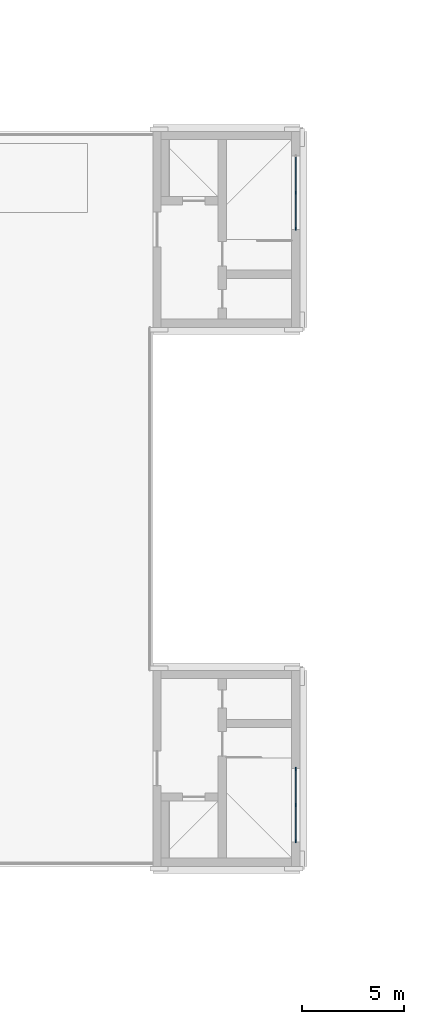
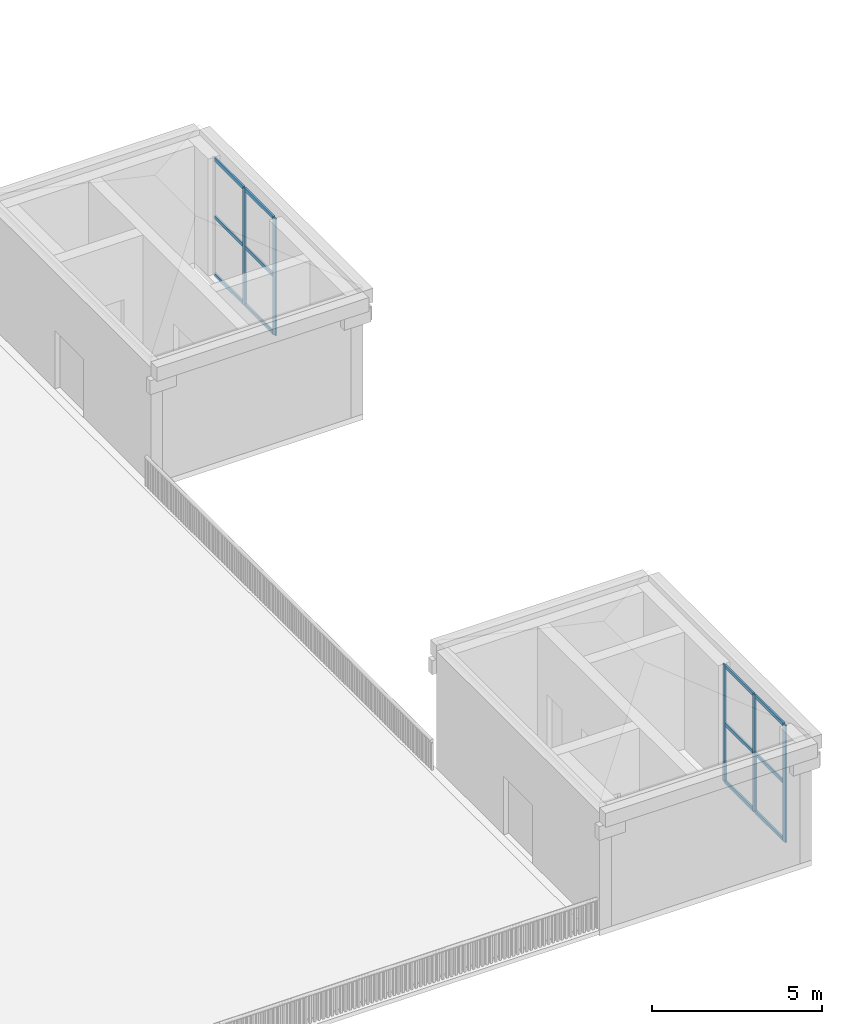
# One storey, part 45 of 127: 17 members, 2 elements without a shape of their own.
"""IFC4 building model written with IfcOpenShell, lengths in metres."""

from ifc_helpers import new_model, si_unit, direction, frame, origin, origin_2d, place, context, subcontext, project, spatial, rectangle, extrude, material, material_profile, profile_set, type_object, element, aggregate, save


model = new_model("IFC4")

# Units and contexts
model_context = context("Model", 3, precision=1e-05, world=origin(), true_north=direction((0.0, 1.0)))
body_context = subcontext(model_context, "Body", "Model", "MODEL_VIEW")
ifc_project = project(units=[si_unit("LENGTHUNIT", "METRE"), si_unit("AREAUNIT", "SQUARE_METRE"), si_unit("VOLUMEUNIT", "CUBIC_METRE"), si_unit("PLANEANGLEUNIT", "RADIAN"), si_unit("MASSUNIT", "GRAM", prefix="KILO")], contexts=[model_context])

# Site, building, storey
site_placement = place(None, origin())
site = spatial("IfcSite", under=ifc_project, at=site_placement, CompositionType="ELEMENT")
building_placement = place(site_placement, origin())
building = spatial("IfcBuilding", under=site, at=building_placement, Name="Verrick Yard Athletic Hall", CompositionType="ELEMENT")
storey_placement = place(building_placement, frame((0.0, 0.0, 14.0)))
storey = spatial("IfcBuildingStorey", under=building, at=storey_placement, Name="L03", CompositionType="ELEMENT", Elevation=14.0)

# Curtain wall, members
ifc_material = material(Name="Aluminium 6063-T5", Category="aluminium")
curtain_wall_type = type_object("IfcCurtainWallType", Name="Core glazing strip", PredefinedType="NOTDEFINED", material=ifc_material)
curtain_wall_1_placement = place(storey_placement, origin())
curtain_wall_1 = element("IfcCurtainWall", 1, at=curtain_wall_1_placement, inside=storey, type_object=curtain_wall_type, Name="CORE-CB3-CW-L03", PredefinedType="NOTDEFINED")
ifc_material_profile_1 = material_profile(ifc_material, rectangle(XDim=0.06005859375, YDim=0.159912109375, at=origin_2d()), Name="Core glazing mullion 60x160")
ifc_profile_set_1 = profile_set([ifc_material_profile_1], Name="Aluminium 6063-T5")
member_type_1 = type_object("IfcMemberType", Name="Core glazing mullion 60x160", PredefinedType="MULLION", material=ifc_profile_set_1)
member_1_placement = place(storey_placement, frame((165.800048828125, 19.22998046875, 0.0), z_axis=(0.0, 0.0, 1.0), x_axis=(-1.0, 0.0, 0.0)))
member_1 = element("IfcMember", 2, at=member_1_placement, type_object=member_type_1, Name="CW5 mullion 1", PredefinedType="MULLION", context=body_context, shape_type="SweptSolid", body=[
    extrude(rectangle(XDim=0.06005859375, YDim=0.159912109375, at=origin_2d()), origin(), (0.0, 0.0, 1.0), 4.199951171875),
])
member_2_placement = place(storey_placement, frame((165.800048828125, 21.0, 0.0), z_axis=(0.0, 0.0, 1.0), x_axis=(-1.0, 0.0, 0.0)))
member_2 = element("IfcMember", 3, at=member_2_placement, type_object=member_type_1, Name="CW5 mullion 2", PredefinedType="MULLION", context=body_context, shape_type="SweptSolid", body=[
    extrude(rectangle(XDim=0.06005859375, YDim=0.159912109375, at=origin_2d()), origin(), (0.0, 0.0, 1.0), 4.199951171875),
])
member_3_placement = place(storey_placement, frame((165.800048828125, 22.77001953125, 0.0), z_axis=(0.0, 0.0, 1.0), x_axis=(-1.0, 0.0, 0.0)))
member_3 = element("IfcMember", 4, at=member_3_placement, type_object=member_type_1, Name="CW5 mullion 3", PredefinedType="MULLION", context=body_context, shape_type="SweptSolid", body=[
    extrude(rectangle(XDim=0.06005859375, YDim=0.159912109375, at=origin_2d()), origin(), (0.0, 0.0, 1.0), 4.199951171875),
])

curtain_wall_2_placement = place(storey_placement, origin())
curtain_wall_2 = element("IfcCurtainWall", 5, at=curtain_wall_2_placement, inside=storey, type_object=curtain_wall_type, Name="CORE-CB4-CW-L03", PredefinedType="NOTDEFINED")
member_4_placement = place(storey_placement, frame((165.800048828125, 49.22998046875, 0.0), z_axis=(0.0, 0.0, 1.0), x_axis=(-1.0, 0.0, 0.0)))
member_4 = element("IfcMember", 6, at=member_4_placement, type_object=member_type_1, Name="CW5 mullion 1", PredefinedType="MULLION", context=body_context, shape_type="SweptSolid", body=[
    extrude(rectangle(XDim=0.06005859375, YDim=0.159912109375, at=origin_2d()), origin(), (0.0, 0.0, 1.0), 4.199951171875),
])
member_5_placement = place(storey_placement, frame((165.800048828125, 51.0, 0.0), z_axis=(0.0, 0.0, 1.0), x_axis=(-1.0, 0.0, 0.0)))
member_5 = element("IfcMember", 7, at=member_5_placement, type_object=member_type_1, Name="CW5 mullion 2", PredefinedType="MULLION", context=body_context, shape_type="SweptSolid", body=[
    extrude(rectangle(XDim=0.06005859375, YDim=0.159912109375, at=origin_2d()), origin(), (0.0, 0.0, 1.0), 4.199951171875),
])

# Member
ifc_material_profile_2 = material_profile(ifc_material, rectangle(XDim=0.06005859375, YDim=0.1201171875, at=origin_2d()), Name="Core glazing transom 60x120")
ifc_profile_set_2 = profile_set([ifc_material_profile_2], Name="Aluminium 6063-T5")
member_type_2 = type_object("IfcMemberType", Name="Core glazing transom 60x120", PredefinedType="USERDEFINED", material=ifc_profile_set_2)
member_6_placement = place(storey_placement, frame((165.800048828125, 19.260009765625, 0.030029296875), z_axis=(0.0, 1.0, 0.0), x_axis=(-1.0, 0.0, 0.0)))
member_6 = element("IfcMember", 8, at=member_6_placement, type_object=member_type_2, Name="CW5 transom 1.1", ObjectType="TRANSOM", PredefinedType="USERDEFINED", context=body_context, shape_type="SweptSolid", body=[
    extrude(rectangle(XDim=0.06005859375, YDim=0.1201171875, at=origin_2d()), origin(), (0.0, 0.0, 1.0), 1.7099609375),
])

member_7_placement = place(storey_placement, frame((165.800048828125, 19.260009765625, 2.10009765625), z_axis=(0.0, 1.0, 0.0), x_axis=(-1.0, 0.0, 0.0)))
member_7 = element("IfcMember", 9, at=member_7_placement, type_object=member_type_2, Name="CW5 transom 1.2", ObjectType="TRANSOM", PredefinedType="USERDEFINED", context=body_context, shape_type="SweptSolid", body=[
    extrude(rectangle(XDim=0.06005859375, YDim=0.1201171875, at=origin_2d()), origin(), (0.0, 0.0, 1.0), 1.7099609375),
])

member_8_placement = place(storey_placement, frame((165.800048828125, 19.260009765625, 4.169921875), z_axis=(0.0, 1.0, 0.0), x_axis=(-1.0, 0.0, 0.0)))
member_8 = element("IfcMember", 10, at=member_8_placement, type_object=member_type_2, Name="CW5 transom 1.3", ObjectType="TRANSOM", PredefinedType="USERDEFINED", context=body_context, shape_type="SweptSolid", body=[
    extrude(rectangle(XDim=0.06005859375, YDim=0.1201171875, at=origin_2d()), origin(), (0.0, 0.0, 1.0), 1.7099609375),
])

member_9_placement = place(storey_placement, frame((165.800048828125, 21.030029296875, 0.030029296875), z_axis=(0.0, 1.0, 0.0), x_axis=(-1.0, 0.0, 0.0)))
member_9 = element("IfcMember", 11, at=member_9_placement, type_object=member_type_2, Name="CW5 transom 2.1", ObjectType="TRANSOM", PredefinedType="USERDEFINED", context=body_context, shape_type="SweptSolid", body=[
    extrude(rectangle(XDim=0.06005859375, YDim=0.1201171875, at=origin_2d()), origin(), (0.0, 0.0, 1.0), 1.7099609375),
])

member_10_placement = place(storey_placement, frame((165.800048828125, 21.030029296875, 2.10009765625), z_axis=(0.0, 1.0, 0.0), x_axis=(-1.0, 0.0, 0.0)))
member_10 = element("IfcMember", 12, at=member_10_placement, type_object=member_type_2, Name="CW5 transom 2.2", ObjectType="TRANSOM", PredefinedType="USERDEFINED", context=body_context, shape_type="SweptSolid", body=[
    extrude(rectangle(XDim=0.06005859375, YDim=0.1201171875, at=origin_2d()), origin(), (0.0, 0.0, 1.0), 1.7099609375),
])

member_11_placement = place(storey_placement, frame((165.800048828125, 21.030029296875, 4.169921875), z_axis=(0.0, 1.0, 0.0), x_axis=(-1.0, 0.0, 0.0)))
member_11 = element("IfcMember", 13, at=member_11_placement, type_object=member_type_2, Name="CW5 transom 2.3", ObjectType="TRANSOM", PredefinedType="USERDEFINED", context=body_context, shape_type="SweptSolid", body=[
    extrude(rectangle(XDim=0.06005859375, YDim=0.1201171875, at=origin_2d()), origin(), (0.0, 0.0, 1.0), 1.7099609375),
])

aggregate(curtain_wall_1, [member_1, member_2, member_3, member_6, member_7, member_8, member_9, member_10, member_11])

member_12_placement = place(storey_placement, frame((165.800048828125, 49.260009765625, 0.030029296875), z_axis=(0.0, 1.0, 0.0), x_axis=(-1.0, 0.0, 0.0)))
member_12 = element("IfcMember", 14, at=member_12_placement, type_object=member_type_2, Name="CW5 transom 1.1", ObjectType="TRANSOM", PredefinedType="USERDEFINED", context=body_context, shape_type="SweptSolid", body=[
    extrude(rectangle(XDim=0.06005859375, YDim=0.1201171875, at=origin_2d()), origin(), (0.0, 0.0, 1.0), 1.7099609375),
])

member_13_placement = place(storey_placement, frame((165.800048828125, 49.260009765625, 2.10009765625), z_axis=(0.0, 1.0, 0.0), x_axis=(-1.0, 0.0, 0.0)))
member_13 = element("IfcMember", 15, at=member_13_placement, type_object=member_type_2, Name="CW5 transom 1.2", ObjectType="TRANSOM", PredefinedType="USERDEFINED", context=body_context, shape_type="SweptSolid", body=[
    extrude(rectangle(XDim=0.06005859375, YDim=0.1201171875, at=origin_2d()), origin(), (0.0, 0.0, 1.0), 1.7099609375),
])

member_14_placement = place(storey_placement, frame((165.800048828125, 49.260009765625, 4.169921875), z_axis=(0.0, 1.0, 0.0), x_axis=(-1.0, 0.0, 0.0)))
member_14 = element("IfcMember", 16, at=member_14_placement, type_object=member_type_2, Name="CW5 transom 1.3", ObjectType="TRANSOM", PredefinedType="USERDEFINED", context=body_context, shape_type="SweptSolid", body=[
    extrude(rectangle(XDim=0.06005859375, YDim=0.1201171875, at=origin_2d()), origin(), (0.0, 0.0, 1.0), 1.7099609375),
])

member_15_placement = place(storey_placement, frame((165.800048828125, 51.030029296875, 0.030029296875), z_axis=(0.0, 1.0, 0.0), x_axis=(-1.0, 0.0, 0.0)))
member_15 = element("IfcMember", 17, at=member_15_placement, type_object=member_type_2, Name="CW5 transom 2.1", ObjectType="TRANSOM", PredefinedType="USERDEFINED", context=body_context, shape_type="SweptSolid", body=[
    extrude(rectangle(XDim=0.06005859375, YDim=0.1201171875, at=origin_2d()), origin(), (0.0, 0.0, 1.0), 1.7099609375),
])

member_16_placement = place(storey_placement, frame((165.800048828125, 51.030029296875, 2.10009765625), z_axis=(0.0, 1.0, 0.0), x_axis=(-1.0, 0.0, 0.0)))
member_16 = element("IfcMember", 18, at=member_16_placement, type_object=member_type_2, Name="CW5 transom 2.2", ObjectType="TRANSOM", PredefinedType="USERDEFINED", context=body_context, shape_type="SweptSolid", body=[
    extrude(rectangle(XDim=0.06005859375, YDim=0.1201171875, at=origin_2d()), origin(), (0.0, 0.0, 1.0), 1.7099609375),
])

member_17_placement = place(storey_placement, frame((165.800048828125, 51.030029296875, 4.169921875), z_axis=(0.0, 1.0, 0.0), x_axis=(-1.0, 0.0, 0.0)))
member_17 = element("IfcMember", 19, at=member_17_placement, type_object=member_type_2, Name="CW5 transom 2.3", ObjectType="TRANSOM", PredefinedType="USERDEFINED", context=body_context, shape_type="SweptSolid", body=[
    extrude(rectangle(XDim=0.06005859375, YDim=0.1201171875, at=origin_2d()), origin(), (0.0, 0.0, 1.0), 1.7099609375),
])

aggregate(curtain_wall_2, [member_4, member_5, member_12, member_13, member_14, member_15, member_16, member_17])

save(model, "model.ifc")
